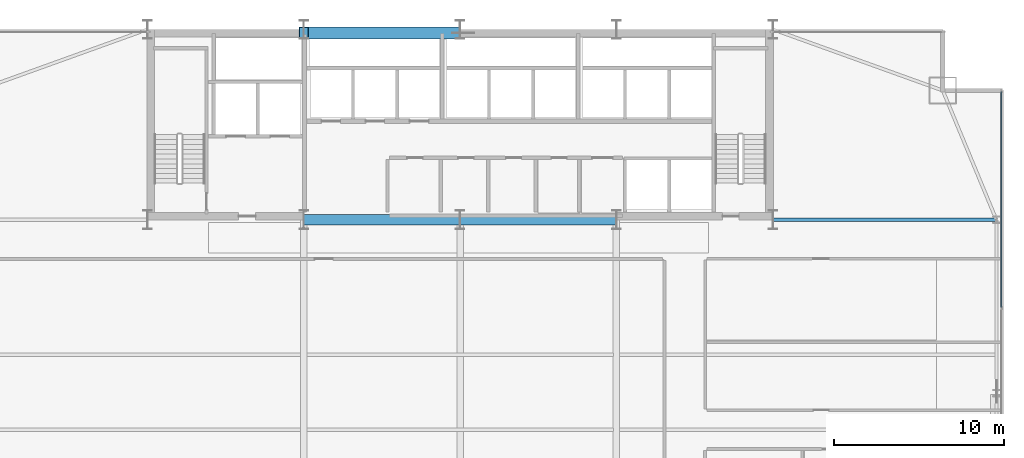
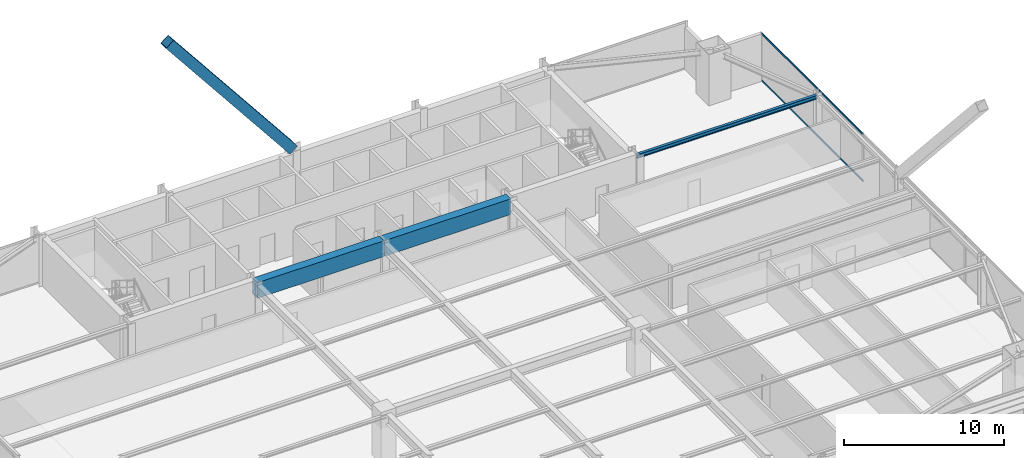
# One storey, part 22 of 35: 3 beams, 3 members, 1 element without a shape of its own.
"""IFC4 building model written with IfcOpenShell, lengths in metres."""

import ifcopenshell
import ifcopenshell.guid

model = None  # the IFC model being written
_history = None  # IfcOwnerHistory: only IFC2X3 demands one
_inside = {}  # id of a spatial element -> (the spatial element, [elements in it])
_under = {}  # id of a project, library or spatial element -> (it, [spatial elements below it])
_declared = {}  # id of a project -> (the project, [libraries it declares])
_typed = {}  # id of a type object -> (the type object, [elements of that type])
_made_of = {}  # id of a material, layer set ... -> (it, [elements and type objects made of it])


def new_model(schema):
    """Start an empty IFC model of exactly this schema.

    Asked for "IFC4X3", IfcOpenShell would pick the latest addendum, in which some entities
    have other attributes; the version numbers below select the first issue.
    IFC2X3 requires an IfcOwnerHistory on every rooted entity: one is made here for all.
    """
    global model, _history
    if schema == "IFC4X3":
        model = ifcopenshell.file(schema_version=(4, 3, 0, 0))
    else:
        model = ifcopenshell.file(schema=schema)
    _inside.clear()
    _under.clear()
    _declared.clear()
    _typed.clear()
    _made_of.clear()
    _history = None
    if model.schema == "IFC2X3":
        org = make("IfcOrganization", Name="unknown")
        user = make(
            "IfcPersonAndOrganization",
            ThePerson=make("IfcPerson", FamilyName="unknown"),
            TheOrganization=org,
        )
        app = make(
            "IfcApplication",
            ApplicationDeveloper=org,
            Version="unknown",
            ApplicationFullName="unknown",
            ApplicationIdentifier="unknown",
        )
        _history = make(
            "IfcOwnerHistory",
            OwningUser=user,
            OwningApplication=app,
            ChangeAction="ADDED",
            CreationDate=0,
        )
    return model


def make(cls, **values):
    """One entity of the class cls with the attributes given. An attribute that is None is left unset."""
    return model.create_entity(
        cls, **{name: value for name, value in values.items() if value is not None}
    )


def rooted(cls, **values):
    """An entity with a GlobalId (a new one), such as an element, a storey or a relation."""
    return make(cls, GlobalId=ifcopenshell.guid.new(), OwnerHistory=_history, **values)


def si_unit(unit_type, name, prefix=None):
    """IfcSIUnit, for example si_unit("LENGTHUNIT", "METRE", prefix="MILLI")."""
    return make("IfcSIUnit", UnitType=unit_type, Prefix=prefix, Name=name)


def assignment(units):
    """IfcUnitAssignment: the units of a project."""
    return None if units is None else make("IfcUnitAssignment", Units=units)


def point(xyz):
    """IfcCartesianPoint."""
    return None if xyz is None else make("IfcCartesianPoint", Coordinates=xyz)


def direction(xyz):
    """IfcDirection."""
    return None if xyz is None else make("IfcDirection", DirectionRatios=xyz)


def frame(location, z_axis=None, x_axis=None):
    """IfcAxis2Placement3D, a coordinate frame: its origin and axes. An axis left out is left unset."""
    return make(
        "IfcAxis2Placement3D",
        Location=point(location),
        Axis=direction(z_axis),
        RefDirection=direction(x_axis),
    )


def frame_2d(location, x_axis=None):
    """IfcAxis2Placement2D, a coordinate frame in the plane: its origin and x axis."""
    return make(
        "IfcAxis2Placement2D", Location=point(location), RefDirection=direction(x_axis)
    )


def origin():
    """The frame at (0, 0, 0) with its axes left unset."""
    return frame((0.0, 0.0, 0.0))


def origin_2d():
    """The frame at (0, 0) in the plane with its x axis left unset."""
    return frame_2d((0.0, 0.0))


def place(relative_to, where):
    """IfcLocalPlacement: puts the frame where relative to a parent placement (None: the world)."""
    return make(
        "IfcLocalPlacement", PlacementRelTo=relative_to, RelativePlacement=where
    )


def context(
    kind, dimensions, precision=None, world=None, true_north=None, identifier=None
):
    """IfcGeometricRepresentationContext, for example the 3D "Model" context."""
    return make(
        "IfcGeometricRepresentationContext",
        ContextIdentifier=identifier,
        ContextType=kind,
        CoordinateSpaceDimension=dimensions,
        Precision=precision,
        WorldCoordinateSystem=world,
        TrueNorth=true_north,
    )


def subcontext(parent, identifier, kind, view, scale=None):
    """IfcGeometricRepresentationSubContext, for example "Body" below "Model"."""
    return make(
        "IfcGeometricRepresentationSubContext",
        ContextIdentifier=identifier,
        ContextType=kind,
        ParentContext=parent,
        TargetScale=scale,
        TargetView=view,
    )


def project(units=None, contexts=None):
    """IfcProject with its units and contexts."""
    return rooted(
        "IfcProject",
        Name="project",
        RepresentationContexts=contexts,
        UnitsInContext=assignment(units),
    )


def spatial(cls, under=None, at=None, **own):
    """A site, building, storey or space (cls), placed at a placement, below another one or the project."""
    s = rooted(cls, ObjectPlacement=at, **own)
    if under is not None:
        _under.setdefault(under.id(), (under, []))[1].append(s)
    return s


def profile(cls, at=None, kind="AREA", **sizes):
    """A parametric profile (cls). Its sizes go by their IFC names, for example OverallWidth=200.0."""
    return make(cls, ProfileType=kind, Position=at, **sizes)


def rectangle(**sizes):
    """IfcRectangleProfileDef."""
    return profile("IfcRectangleProfileDef", **sizes)


def hollow_rectangle(**sizes):
    """IfcRectangleHollowProfileDef."""
    return profile("IfcRectangleHollowProfileDef", **sizes)


def i_section(**sizes):
    """IfcIShapeProfileDef."""
    return profile("IfcIShapeProfileDef", **sizes)


def extrude(swept, where, along, depth):
    """IfcExtrudedAreaSolid: the profile swept, set in the frame where, extruded along a direction by depth."""
    return make(
        "IfcExtrudedAreaSolid",
        SweptArea=swept,
        Position=where,
        ExtrudedDirection=direction(along),
        Depth=depth,
    )


def shape(context_of_items, identifier, shape_type, items):
    """IfcShapeRepresentation: the items that make up one representation, for example the "Body"."""
    return make(
        "IfcShapeRepresentation",
        ContextOfItems=context_of_items,
        RepresentationIdentifier=identifier,
        RepresentationType=shape_type,
        Items=items,
    )


def source(mapping_origin, context_of_items, identifier, shape_type, items):
    """IfcRepresentationMap: a shape defined once, which mapped items show again and again."""
    return make(
        "IfcRepresentationMap",
        MappingOrigin=mapping_origin,
        MappedRepresentation=shape(context_of_items, identifier, shape_type, items),
    )


def transform(
    local_origin,
    x_axis=None,
    y_axis=None,
    z_axis=None,
    scale=None,
    scale2=None,
    scale3=None,
    uniform=True,
):
    """IfcCartesianTransformationOperator3D, or its non-uniform kind. x_axis, y_axis, z_axis: its Axis1, 2, 3."""
    if uniform:
        return make(
            "IfcCartesianTransformationOperator3D",
            Axis1=direction(x_axis),
            Axis2=direction(y_axis),
            LocalOrigin=point(local_origin),
            Scale=scale,
            Axis3=direction(z_axis),
        )
    return make(
        "IfcCartesianTransformationOperator3DnonUniform",
        Axis1=direction(x_axis),
        Axis2=direction(y_axis),
        LocalOrigin=point(local_origin),
        Scale=scale,
        Axis3=direction(z_axis),
        Scale2=scale2,
        Scale3=scale3,
    )


def mapped(mapping_source, mapping_target):
    """IfcMappedItem: shows the shape of a source again, moved by a transform."""
    return make(
        "IfcMappedItem", MappingSource=mapping_source, MappingTarget=mapping_target
    )


def material(Name=None, Category=None):
    """IfcMaterial."""
    return make("IfcMaterial", Name=Name, Category=Category)


def layer(
    of_material, thickness, ventilated=None, Name=None, Category=None, Priority=None
):
    """IfcMaterialLayer: one layer of a wall or slab, of a material (None: an air gap)."""
    return make(
        "IfcMaterialLayer",
        Material=of_material,
        LayerThickness=thickness,
        IsVentilated=ventilated,
        Name=Name,
        Category=Category,
        Priority=Priority,
    )


def layer_set(layers, Name=None):
    """IfcMaterialLayerSet."""
    return make("IfcMaterialLayerSet", MaterialLayers=layers, LayerSetName=Name)


def material_profile(
    of_material, cross_section, Name=None, Category=None, Priority=None
):
    """IfcMaterialProfile: a cross section and its material."""
    return make(
        "IfcMaterialProfile",
        Name=Name,
        Material=of_material,
        Profile=cross_section,
        Priority=Priority,
        Category=Category,
    )


def profile_set(profiles, Name=None, composite=None):
    """IfcMaterialProfileSet."""
    return make(
        "IfcMaterialProfileSet",
        Name=Name,
        MaterialProfiles=profiles,
        CompositeProfile=composite,
    )


def made_of(thing, what):
    """Note that an element or type object is made of a material, layer set ...; save() writes the relation."""
    if what is not None:
        _made_of.setdefault(what.id(), (what, []))[1].append(thing)
    return thing


def type_object(cls, material=None, **own):
    """A type object (cls), such as IfcWallType, which elements share."""
    return made_of(rooted(cls, **own), material)


def type_shapes(of_type, sources):
    """Give a type object the sources (RepresentationMaps) that its elements show as mapped items."""
    of_type.RepresentationMaps = sources


def element(
    cls,
    number,
    at=None,
    inside=None,
    cuts=None,
    type_object=None,
    material=None,
    context=None,
    identifier="Body",
    shape_type=None,
    held_by="IfcProductDefinitionShape",
    body=None,
    shapes=None,
    **own,
):
    """One element of the class cls, such as IfcWall. Its Tag is "e" and its number.

    at: its placement. inside: the storey or other place that contains it. cuts: it is an
    opening in that element (IfcRelVoidsElement). A single representation is given by context,
    identifier, shape_type and body (its items); several are given by shapes. held_by: the class
    of the entity that holds the representations. save() writes the other relations.
    """
    e = rooted(cls, Tag="e%d" % number, ObjectPlacement=at, **own)
    if body is not None:
        shapes = [shape(context, identifier, shape_type, body)]
    if shapes is not None:
        e.Representation = make(held_by, Representations=shapes)
    if inside is not None:
        _inside.setdefault(inside.id(), (inside, []))[1].append(e)
    if cuts is not None:
        rooted(
            "IfcRelVoidsElement", RelatingBuildingElement=cuts, RelatedOpeningElement=e
        )
    if type_object is not None:
        _typed.setdefault(type_object.id(), (type_object, []))[1].append(e)
    return made_of(e, material)


def aggregate(whole, parts):
    """IfcRelAggregates: a whole, such as a stair, and the parts it consists of."""
    return rooted("IfcRelAggregates", RelatingObject=whole, RelatedObjects=parts)


def save(model, path):
    """Write the relations noted so far, then the file.

    IfcRelAggregates (storeys below a building ...), IfcRelContainedInSpatialStructure (elements
    in a storey), IfcRelDefinesByType, IfcRelAssociatesMaterial and IfcRelDeclares: one each for
    every whole, place, type object, material and project.
    """
    for whole, parts in _under.values():
        aggregate(whole, parts)
    for where, things in _inside.values():
        rooted(
            "IfcRelContainedInSpatialStructure",
            RelatedElements=things,
            RelatingStructure=where,
        )
    for kind, things in _typed.values():
        rooted("IfcRelDefinesByType", RelatedObjects=things, RelatingType=kind)
    for what, things in _made_of.values():
        rooted("IfcRelAssociatesMaterial", RelatedObjects=things, RelatingMaterial=what)
    for by, libraries in _declared.values():
        rooted("IfcRelDeclares", RelatingContext=by, RelatedDefinitions=libraries)
    model.write(path)


model = new_model("IFC4")

# Units and contexts
model_context = context("Model", 3, precision=1e-05, world=origin(), true_north=direction((0.0, 1.0)))
body_context = subcontext(model_context, "Body", "Model", "MODEL_VIEW")
ifc_project = project(units=[si_unit("LENGTHUNIT", "METRE"), si_unit("AREAUNIT", "SQUARE_METRE"), si_unit("VOLUMEUNIT", "CUBIC_METRE"), si_unit("PLANEANGLEUNIT", "RADIAN"), si_unit("MASSUNIT", "GRAM", prefix="KILO")], contexts=[model_context])

# Site, building, storey
site_placement = place(None, origin())
site = spatial("IfcSite", under=ifc_project, at=site_placement, CompositionType="ELEMENT")
building_placement = place(site_placement, origin())
building = spatial("IfcBuilding", under=site, at=building_placement, Name="Varnel Quay Broadcast Tower", CompositionType="ELEMENT")
storey_placement = place(building_placement, frame((0.0, 0.0, 66.60009765625)))
storey = spatial("IfcBuildingStorey", under=building, at=storey_placement, Name="L15", CompositionType="ELEMENT", Elevation=66.60009765625)

# Beams
ifc_material_1 = material(Name="Concrete CSA A23.3 C60/75", Category="concrete")
ifc_material_profile_1 = material_profile(ifc_material_1, rectangle(XDim=0.60009765625, YDim=1.199951171875, at=origin_2d()), Name="RC600X1200")
ifc_profile_set_1 = profile_set([ifc_material_profile_1], Name="Concrete CSA A23.3 C60/75")
beam_type_1 = type_object("IfcBeamType", Name="Beam_RC600X1200", PredefinedType="BEAM", material=ifc_profile_set_1)
shared_shape_1 = source(origin(), body_context, "Body", "SweptSolid", [
    extrude(rectangle(XDim=0.60009765625, YDim=1.199951171875, at=origin_2d()), origin(), (0.0, 0.0, 1.0), 9.159912109375),
])
type_shapes(beam_type_1, [shared_shape_1])
for number, where, z_axis, x_axis, name in (
    (1, (24.820068359375, 35.60009765625, 3.0498046875), (1.0, 0.0, 0.0), (0.0, 1.0, 0.0), "L15 Core Coupling Beam W"),
    (2, (34.02001953125, 35.60009765625, 3.0498046875), (1.0, 0.0, 0.0), (0.0, 1.0, 0.0), "L15 Core Coupling Beam E"),
):
    element("IfcBeam", number, at=place(storey_placement, frame(where, z_axis=z_axis, x_axis=x_axis)), inside=storey, type_object=beam_type_1, Name=name, PredefinedType="BEAM", context=body_context, shape_type="MappedRepresentation", body=[
        mapped(shared_shape_1, transform((0.0, 0.0, 0.0), x_axis=(1.0, 0.0, 0.0), y_axis=(0.0, 1.0, 0.0), z_axis=(0.0, 0.0, 1.0), scale=1.0)),
    ])
ifc_material_2 = material(Name="Structural Steel CSA G40.21 350W", Category="steel")
ifc_material_profile_2 = material_profile(ifc_material_2, i_section(OverallWidth=0.202880859375, OverallDepth=0.302978515625, WebThickness=0.007568359375, FlangeThickness=0.01318359375, FilletRadius=0.011962890625, at=origin_2d()), Name="W310X60")
ifc_profile_set_2 = profile_set([ifc_material_profile_2], Name="Structural Steel CSA G40.21 350W")
beam_type_2 = type_object("IfcBeamType", Name="Beam_W310X60", PredefinedType="JOIST", material=ifc_profile_set_2)
shared_shape_2 = source(origin(), body_context, "Body", "SweptSolid", [
    extrude(i_section(OverallWidth=0.202880859375, OverallDepth=0.302978515625, WebThickness=0.007568359375, FlangeThickness=0.01318359375, FilletRadius=0.011962890625, at=origin_2d()), origin(), (0.0, 0.0, 1.0), 13.110107421875),
])
type_shapes(beam_type_2, [shared_shape_2])
beam_placement = place(storey_placement, frame((52.419921875, 35.60009765625, 3.498291015625), z_axis=(1.0, 0.0, 0.0), x_axis=(0.0, 1.0, 0.0)))
element("IfcBeam", 3, at=beam_placement, inside=storey, type_object=beam_type_2, Name="L15 East Core Tie Joist", PredefinedType="JOIST", context=body_context, shape_type="MappedRepresentation", body=[
    mapped(shared_shape_2, transform((0.0, 0.0, 0.0), x_axis=(1.0, 0.0, 0.0), y_axis=(0.0, 1.0, 0.0), z_axis=(0.0, 0.0, 1.0), scale=1.0)),
])

# Member
ifc_material_3 = material(Name="Structural Steel CSA G40.21 350WT", Category="steel")
ifc_material_profile_3 = material_profile(ifc_material_3, hollow_rectangle(XDim=0.699951171875, YDim=0.699951171875, WallThickness=0.031982421875, at=origin_2d()), Name="BOX700X700X32")
ifc_profile_set_3 = profile_set([ifc_material_profile_3], Name="Structural Steel CSA G40.21 350WT")
member_type_1 = type_object("IfcMemberType", Name="Brace_BOX700X700X32", PredefinedType="BRACE", material=ifc_profile_set_3)
shared_shape_3 = source(origin(), body_context, "Body", "SweptSolid", [
    extrude(hollow_rectangle(XDim=0.699951171875, YDim=0.699951171875, WallThickness=0.031982421875, at=origin_2d()), origin(), (0.0, 0.0, 1.0), 14.359130859375),
])
type_shapes(member_type_1, [shared_shape_3])
member_1_placement = place(storey_placement, frame((33.760498046875, 46.580078125, 4.039794921875), z_axis=(-0.62402715856, 0.0, 0.781402652529), x_axis=(0.0, -1.0, 0.0)))
element("IfcMember", 4, at=member_1_placement, inside=storey, type_object=member_type_1, Name="Zone 1 Mega-Brace N-CT3 Split Diag B2", PredefinedType="BRACE", context=body_context, shape_type="MappedRepresentation", body=[
    mapped(shared_shape_3, transform((0.0, 0.0, 0.0), x_axis=(1.0, 0.0, 0.0), y_axis=(0.0, 1.0, 0.0), z_axis=(0.0, 0.0, 1.0), scale=1.0)),
])

# Curtain wall, members
ifc_material_4 = material(Name="Anodised Bronze Aluminium 6063-T6", Category="aluminium")
ifc_layer = layer(ifc_material_4, 0.18994140625, Name="Anodised Bronze Aluminium 6063-T6")
ifc_layer_set = layer_set([ifc_layer], Name="Anodised Bronze Aluminium 6063-T6")
curtain_wall_type = type_object("IfcCurtainWallType", Name="CW_LowerTower", PredefinedType="NOTDEFINED", material=ifc_layer_set)
curtain_wall_placement = place(storey_placement, origin())
curtain_wall = element("IfcCurtainWall", 5, at=curtain_wall_placement, inside=storey, type_object=curtain_wall_type, Name="L15 East Unitised Curtain Wall", PredefinedType="NOTDEFINED")
ifc_material_profile_4 = material_profile(ifc_material_4, hollow_rectangle(XDim=0.06005859375, YDim=0.14501953125, WallThickness=0.00341796875, at=origin_2d()), Name="ALU60X145X3.5")
ifc_profile_set_4 = profile_set([ifc_material_profile_4], Name="Anodised Bronze Aluminium 6063-T6")
member_type_2 = type_object("IfcMemberType", Name="Tran_CWS-02", PredefinedType="USERDEFINED", material=ifc_profile_set_4)
shared_shape_4 = source(origin(), body_context, "Body", "SweptSolid", [
    extrude(hollow_rectangle(XDim=0.06005859375, YDim=0.14501953125, WallThickness=0.00341796875, at=origin_2d()), origin(), (0.0, 0.0, 1.0), 12.69482421875),
])
type_shapes(member_type_2, [shared_shape_4])
member_2_placement = place(storey_placement, frame((65.85009765625, 30.43505859375, 0.02978515625), z_axis=(0.0, 1.0, 0.0), x_axis=(-1.0, 0.0, 0.0)))
member_2 = element("IfcMember", 6, at=member_2_placement, type_object=member_type_2, Name="CWS-02 transom 3.1", ObjectType="TRANSOM", PredefinedType="USERDEFINED", context=body_context, shape_type="MappedRepresentation", body=[
    mapped(shared_shape_4, transform((0.0, 0.0, 0.0), x_axis=(1.0, 0.0, 0.0), y_axis=(0.0, 1.0, 0.0), z_axis=(0.0, 0.0, 1.0), scale=1.0)),
])
member_3_placement = place(storey_placement, frame((65.85009765625, 30.43505859375, 3.619873046875), z_axis=(0.0, 1.0, 0.0), x_axis=(-1.0, 0.0, 0.0)))
member_3 = element("IfcMember", 7, at=member_3_placement, type_object=member_type_2, Name="CWS-02 transom 3.2", ObjectType="TRANSOM", PredefinedType="USERDEFINED", context=body_context, shape_type="MappedRepresentation", body=[
    mapped(shared_shape_4, transform((0.0, 0.0, 0.0), x_axis=(1.0, 0.0, 0.0), y_axis=(0.0, 1.0, 0.0), z_axis=(0.0, 0.0, 1.0), scale=1.0)),
])
aggregate(curtain_wall, [member_2, member_3])

save(model, "model.ifc")
